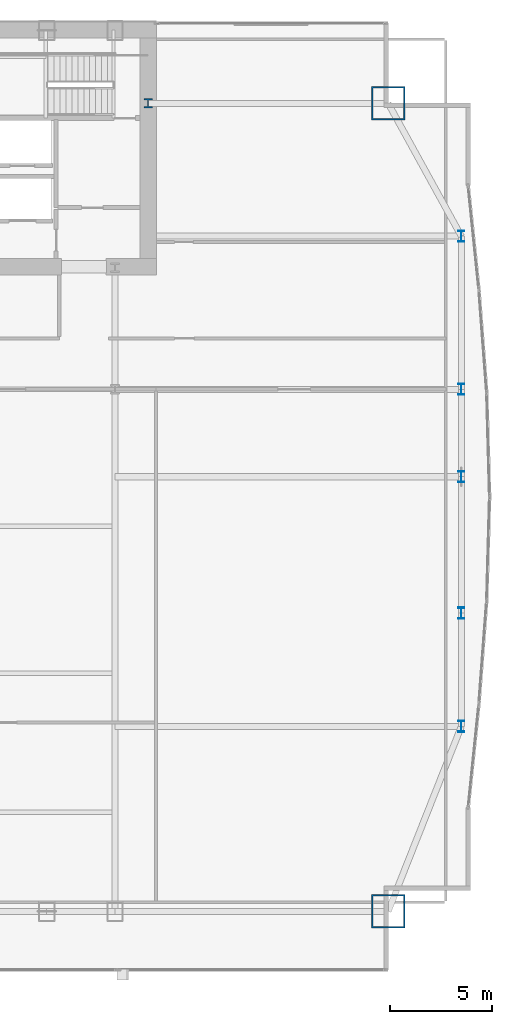
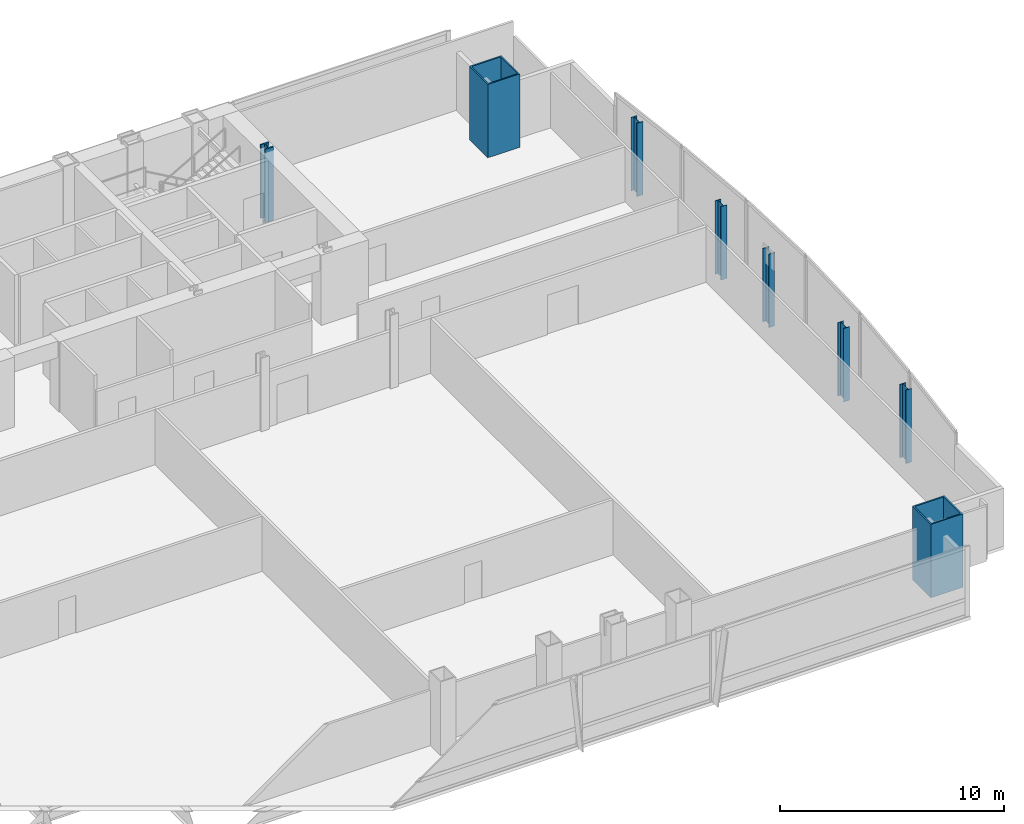
# One storey, part 4 of 33: 8 columns.
"""IFC4 building model written with IfcOpenShell, lengths in metres."""

from ifc_helpers import new_model, si_unit, direction, frame, origin, origin_2d, place, context, subcontext, project, spatial, hollow_rectangle, i_section, extrude, material, material_profile, profile_set, type_object, element, save


model = new_model("IFC4")

# Units and contexts
model_context = context("Model", 3, precision=1e-05, world=origin(), true_north=direction((0.0, 1.0)))
body_context = subcontext(model_context, "Body", "Model", "MODEL_VIEW")
ifc_project = project(units=[si_unit("LENGTHUNIT", "METRE"), si_unit("AREAUNIT", "SQUARE_METRE"), si_unit("VOLUMEUNIT", "CUBIC_METRE"), si_unit("PLANEANGLEUNIT", "RADIAN"), si_unit("MASSUNIT", "GRAM", prefix="KILO")], contexts=[model_context])

# Site, building, storey
site_placement = place(None, origin())
site = spatial("IfcSite", under=ifc_project, at=site_placement, CompositionType="ELEMENT")
building_placement = place(site_placement, origin())
building = spatial("IfcBuilding", under=site, at=building_placement, Name="Khoronbel Lancet Exchange", CompositionType="ELEMENT")
storey_placement = place(building_placement, frame((0.0, 0.0, 33.800048828125)))
storey = spatial("IfcBuildingStorey", under=building, at=storey_placement, Name="L07", CompositionType="ELEMENT", Elevation=33.800048828125)

# Columns
ifc_material_1 = material(Name="Steel S460", Category="steel")
ifc_material_profile_1 = material_profile(ifc_material_1, i_section(OverallWidth=0.424072265625, OverallDepth=0.47412109375, WebThickness=0.047607421875, FlangeThickness=0.076904296875, at=origin_2d()), Name="HD 400x634")
ifc_profile_set_1 = profile_set([ifc_material_profile_1], Name="Steel S460")
column_type_1 = type_object("IfcColumnType", Name="COL-IC1", PredefinedType="COLUMN", material=ifc_profile_set_1)
column_placement = place(storey_placement, frame((56.300048828125, 49.699951171875, 0.0), z_axis=(0.0, 0.0, 1.0), x_axis=(1.0, 0.0, 0.0)))
element("IfcColumn", 1, at=column_placement, inside=storey, type_object=column_type_1, Name="Core-flank plumb transfer column CFE L07", PredefinedType="COLUMN", context=body_context, shape_type="SweptSolid", body=[
    extrude(i_section(OverallWidth=0.424072265625, OverallDepth=0.47412109375, WebThickness=0.047607421875, FlangeThickness=0.076904296875, at=origin_2d()), origin(), (0.0, 0.0, 1.0), 4.0),
])
ifc_material_2 = material(Name="Steel S355", Category="steel")
ifc_material_profile_2 = material_profile(ifc_material_2, i_section(OverallWidth=0.300048828125, OverallDepth=0.550048828125, WebThickness=0.014892578125, FlangeThickness=0.029052734375, at=origin_2d()), Name="HEB 550")
ifc_profile_set_2 = profile_set([ifc_material_profile_2], Name="Steel S355")
column_type_2 = type_object("IfcColumnType", Name="COL-LC1", PredefinedType="COLUMN", material=ifc_profile_set_2)
for number, where, z_axis, x_axis, name in (
    (2, (71.6298828125, 19.199951171875, 0.0), (0.0, 0.0, 1.0), (1.0, 0.0, 0.0), "Structural column EC-1 L07"),
    (3, (71.6298828125, 24.75, 0.0), (0.0, 0.0, 1.0), (1.0, 0.0, 0.0), "Structural column EC-2 L07"),
    (4, (71.6298828125, 31.425048828125, 0.0), (0.0, 0.0, 1.0), (1.0, 0.0, 0.0), "Structural column EC-M L07"),
    (5, (71.6298828125, 35.699951171875, 0.0), (0.0, 0.0, 1.0), (1.0, 0.0, 0.0), "Structural column EC-3 L07"),
    (6, (71.6298828125, 43.199951171875, 0.0), (0.0, 0.0, 1.0), (1.0, 0.0, 0.0), "Structural column EC-4 L07"),
):
    element("IfcColumn", number, at=place(storey_placement, frame(where, z_axis=z_axis, x_axis=x_axis)), inside=storey, type_object=column_type_2, Name=name, PredefinedType="COLUMN", context=body_context, shape_type="SweptSolid", body=[
        extrude(i_section(OverallWidth=0.300048828125, OverallDepth=0.550048828125, WebThickness=0.014892578125, FlangeThickness=0.029052734375, at=origin_2d()), origin(), (0.0, 0.0, 1.0), 4.0),
    ])
ifc_material_profile_3 = material_profile(ifc_material_1, hollow_rectangle(XDim=1.64990234375, YDim=1.64990234375, WallThickness=0.074951171875, at=origin_2d()), Name="BOX 1650x1650x75")
ifc_profile_set_3 = profile_set([ifc_material_profile_3], Name="Steel S460")
column_type_3 = type_object("IfcColumnType", Name="COL-MC2", PredefinedType="COLUMN", material=ifc_profile_set_3)
for number, where, z_axis, x_axis, name in (
    (7, (68.050048828125, 10.14990234375, 0.0), (0.0, 0.0, 1.0), (1.0, 0.0, 0.0), "Structural column MC-SE L07"),
    (8, (68.050048828125, 49.699951171875, 0.0), (0.0, 0.0, 1.0), (1.0, 0.0, 0.0), "Structural column MC-NE L07"),
):
    element("IfcColumn", number, at=place(storey_placement, frame(where, z_axis=z_axis, x_axis=x_axis)), inside=storey, type_object=column_type_3, Name=name, PredefinedType="COLUMN", context=body_context, shape_type="SweptSolid", body=[
        extrude(hollow_rectangle(XDim=1.64990234375, YDim=1.64990234375, WallThickness=0.074951171875, at=origin_2d()), origin(), (0.0, 0.0, 1.0), 4.0),
    ])

save(model, "model.ifc")
